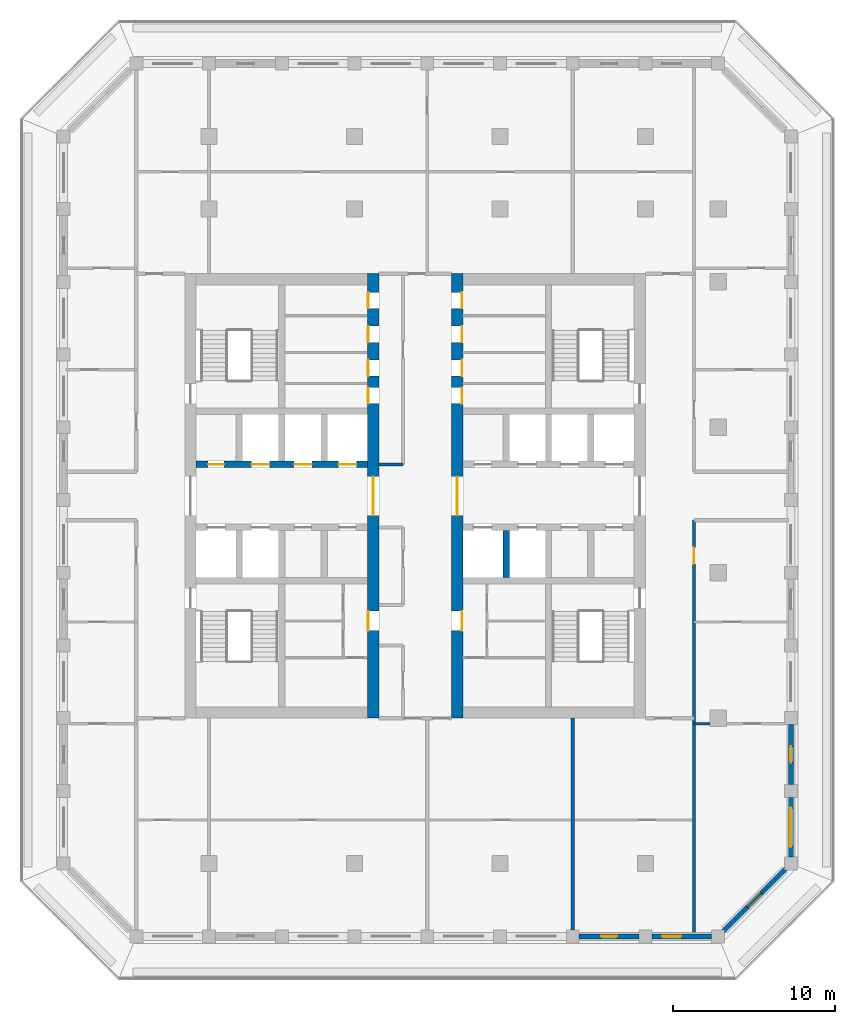
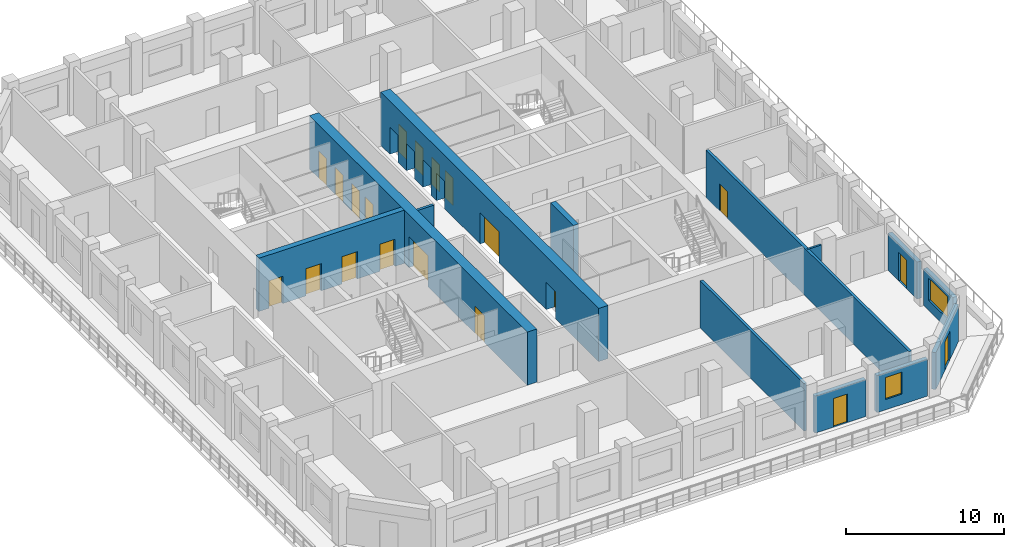
# One storey, part 4 of 17: 20 doors, 13 walls, 2 windows, 22 openings.
"""IFC4 building model written with IfcOpenShell, lengths in metres."""

import ifcopenshell
import ifcopenshell.guid

model = None  # the IFC model being written
_history = None  # IfcOwnerHistory: only IFC2X3 demands one
_inside = {}  # id of a spatial element -> (the spatial element, [elements in it])
_under = {}  # id of a project, library or spatial element -> (it, [spatial elements below it])
_declared = {}  # id of a project -> (the project, [libraries it declares])
_typed = {}  # id of a type object -> (the type object, [elements of that type])
_made_of = {}  # id of a material, layer set ... -> (it, [elements and type objects made of it])


def new_model(schema):
    """Start an empty IFC model of exactly this schema.

    Asked for "IFC4X3", IfcOpenShell would pick the latest addendum, in which some entities
    have other attributes; the version numbers below select the first issue.
    IFC2X3 requires an IfcOwnerHistory on every rooted entity: one is made here for all.
    """
    global model, _history
    if schema == "IFC4X3":
        model = ifcopenshell.file(schema_version=(4, 3, 0, 0))
    else:
        model = ifcopenshell.file(schema=schema)
    _inside.clear()
    _under.clear()
    _declared.clear()
    _typed.clear()
    _made_of.clear()
    _history = None
    if model.schema == "IFC2X3":
        org = make("IfcOrganization", Name="unknown")
        user = make(
            "IfcPersonAndOrganization",
            ThePerson=make("IfcPerson", FamilyName="unknown"),
            TheOrganization=org,
        )
        app = make(
            "IfcApplication",
            ApplicationDeveloper=org,
            Version="unknown",
            ApplicationFullName="unknown",
            ApplicationIdentifier="unknown",
        )
        _history = make(
            "IfcOwnerHistory",
            OwningUser=user,
            OwningApplication=app,
            ChangeAction="ADDED",
            CreationDate=0,
        )
    return model


def make(cls, **values):
    """One entity of the class cls with the attributes given. An attribute that is None is left unset."""
    return model.create_entity(
        cls, **{name: value for name, value in values.items() if value is not None}
    )


def rooted(cls, **values):
    """An entity with a GlobalId (a new one), such as an element, a storey or a relation."""
    return make(cls, GlobalId=ifcopenshell.guid.new(), OwnerHistory=_history, **values)


def si_unit(unit_type, name, prefix=None):
    """IfcSIUnit, for example si_unit("LENGTHUNIT", "METRE", prefix="MILLI")."""
    return make("IfcSIUnit", UnitType=unit_type, Prefix=prefix, Name=name)


def assignment(units):
    """IfcUnitAssignment: the units of a project."""
    return None if units is None else make("IfcUnitAssignment", Units=units)


def point(xyz):
    """IfcCartesianPoint."""
    return None if xyz is None else make("IfcCartesianPoint", Coordinates=xyz)


def direction(xyz):
    """IfcDirection."""
    return None if xyz is None else make("IfcDirection", DirectionRatios=xyz)


def frame(location, z_axis=None, x_axis=None):
    """IfcAxis2Placement3D, a coordinate frame: its origin and axes. An axis left out is left unset."""
    return make(
        "IfcAxis2Placement3D",
        Location=point(location),
        Axis=direction(z_axis),
        RefDirection=direction(x_axis),
    )


def frame_2d(location, x_axis=None):
    """IfcAxis2Placement2D, a coordinate frame in the plane: its origin and x axis."""
    return make(
        "IfcAxis2Placement2D", Location=point(location), RefDirection=direction(x_axis)
    )


def origin():
    """The frame at (0, 0, 0) with its axes left unset."""
    return frame((0.0, 0.0, 0.0))


def place(relative_to, where):
    """IfcLocalPlacement: puts the frame where relative to a parent placement (None: the world)."""
    return make(
        "IfcLocalPlacement", PlacementRelTo=relative_to, RelativePlacement=where
    )


def context(
    kind, dimensions, precision=None, world=None, true_north=None, identifier=None
):
    """IfcGeometricRepresentationContext, for example the 3D "Model" context."""
    return make(
        "IfcGeometricRepresentationContext",
        ContextIdentifier=identifier,
        ContextType=kind,
        CoordinateSpaceDimension=dimensions,
        Precision=precision,
        WorldCoordinateSystem=world,
        TrueNorth=true_north,
    )


def subcontext(parent, identifier, kind, view, scale=None):
    """IfcGeometricRepresentationSubContext, for example "Body" below "Model"."""
    return make(
        "IfcGeometricRepresentationSubContext",
        ContextIdentifier=identifier,
        ContextType=kind,
        ParentContext=parent,
        TargetScale=scale,
        TargetView=view,
    )


def project(units=None, contexts=None):
    """IfcProject with its units and contexts."""
    return rooted(
        "IfcProject",
        Name="project",
        RepresentationContexts=contexts,
        UnitsInContext=assignment(units),
    )


def spatial(cls, under=None, at=None, **own):
    """A site, building, storey or space (cls), placed at a placement, below another one or the project."""
    s = rooted(cls, ObjectPlacement=at, **own)
    if under is not None:
        _under.setdefault(under.id(), (under, []))[1].append(s)
    return s


def profile(cls, at=None, kind="AREA", **sizes):
    """A parametric profile (cls). Its sizes go by their IFC names, for example OverallWidth=200.0."""
    return make(cls, ProfileType=kind, Position=at, **sizes)


def rectangle(**sizes):
    """IfcRectangleProfileDef."""
    return profile("IfcRectangleProfileDef", **sizes)


def extrude(swept, where, along, depth):
    """IfcExtrudedAreaSolid: the profile swept, set in the frame where, extruded along a direction by depth."""
    return make(
        "IfcExtrudedAreaSolid",
        SweptArea=swept,
        Position=where,
        ExtrudedDirection=direction(along),
        Depth=depth,
    )


def shape(context_of_items, identifier, shape_type, items):
    """IfcShapeRepresentation: the items that make up one representation, for example the "Body"."""
    return make(
        "IfcShapeRepresentation",
        ContextOfItems=context_of_items,
        RepresentationIdentifier=identifier,
        RepresentationType=shape_type,
        Items=items,
    )


def material(Name=None, Category=None):
    """IfcMaterial."""
    return make("IfcMaterial", Name=Name, Category=Category)


def layer(
    of_material, thickness, ventilated=None, Name=None, Category=None, Priority=None
):
    """IfcMaterialLayer: one layer of a wall or slab, of a material (None: an air gap)."""
    return make(
        "IfcMaterialLayer",
        Material=of_material,
        LayerThickness=thickness,
        IsVentilated=ventilated,
        Name=Name,
        Category=Category,
        Priority=Priority,
    )


def layer_set(layers, Name=None):
    """IfcMaterialLayerSet."""
    return make("IfcMaterialLayerSet", MaterialLayers=layers, LayerSetName=Name)


def made_of(thing, what):
    """Note that an element or type object is made of a material, layer set ...; save() writes the relation."""
    if what is not None:
        _made_of.setdefault(what.id(), (what, []))[1].append(thing)
    return thing


def type_object(cls, material=None, **own):
    """A type object (cls), such as IfcWallType, which elements share."""
    return made_of(rooted(cls, **own), material)


def element(
    cls,
    number,
    at=None,
    inside=None,
    cuts=None,
    type_object=None,
    material=None,
    context=None,
    identifier="Body",
    shape_type=None,
    held_by="IfcProductDefinitionShape",
    body=None,
    shapes=None,
    **own,
):
    """One element of the class cls, such as IfcWall. Its Tag is "e" and its number.

    at: its placement. inside: the storey or other place that contains it. cuts: it is an
    opening in that element (IfcRelVoidsElement). A single representation is given by context,
    identifier, shape_type and body (its items); several are given by shapes. held_by: the class
    of the entity that holds the representations. save() writes the other relations.
    """
    e = rooted(cls, Tag="e%d" % number, ObjectPlacement=at, **own)
    if body is not None:
        shapes = [shape(context, identifier, shape_type, body)]
    if shapes is not None:
        e.Representation = make(held_by, Representations=shapes)
    if inside is not None:
        _inside.setdefault(inside.id(), (inside, []))[1].append(e)
    if cuts is not None:
        rooted(
            "IfcRelVoidsElement", RelatingBuildingElement=cuts, RelatedOpeningElement=e
        )
    if type_object is not None:
        _typed.setdefault(type_object.id(), (type_object, []))[1].append(e)
    return made_of(e, material)


def fill(opening, filler):
    """IfcRelFillsElement: the door or window that sits in an opening."""
    return rooted(
        "IfcRelFillsElement",
        RelatingOpeningElement=opening,
        RelatedBuildingElement=filler,
    )


def aggregate(whole, parts):
    """IfcRelAggregates: a whole, such as a stair, and the parts it consists of."""
    return rooted("IfcRelAggregates", RelatingObject=whole, RelatedObjects=parts)


def save(model, path):
    """Write the relations noted so far, then the file.

    IfcRelAggregates (storeys below a building ...), IfcRelContainedInSpatialStructure (elements
    in a storey), IfcRelDefinesByType, IfcRelAssociatesMaterial and IfcRelDeclares: one each for
    every whole, place, type object, material and project.
    """
    for whole, parts in _under.values():
        aggregate(whole, parts)
    for where, things in _inside.values():
        rooted(
            "IfcRelContainedInSpatialStructure",
            RelatedElements=things,
            RelatingStructure=where,
        )
    for kind, things in _typed.values():
        rooted("IfcRelDefinesByType", RelatedObjects=things, RelatingType=kind)
    for what, things in _made_of.values():
        rooted("IfcRelAssociatesMaterial", RelatedObjects=things, RelatingMaterial=what)
    for by, libraries in _declared.values():
        rooted("IfcRelDeclares", RelatingContext=by, RelatedDefinitions=libraries)
    model.write(path)


model = new_model("IFC4")

# Units and contexts
model_context = context("Model", 3, precision=1e-05, world=origin(), true_north=direction((0.0, 1.0)))
body_context = subcontext(model_context, "Body", "Model", "MODEL_VIEW")
ifc_project = project(units=[si_unit("LENGTHUNIT", "METRE"), si_unit("AREAUNIT", "SQUARE_METRE"), si_unit("VOLUMEUNIT", "CUBIC_METRE"), si_unit("PLANEANGLEUNIT", "RADIAN"), si_unit("MASSUNIT", "GRAM", prefix="KILO")], contexts=[model_context])

# Site, building, storey
site_placement = place(None, origin())
site = spatial("IfcSite", under=ifc_project, at=site_placement, CompositionType="ELEMENT")
building_placement = place(site_placement, origin())
building = spatial("IfcBuilding", under=site, at=building_placement, Name="Corbel Stack Research Tower", CompositionType="ELEMENT")
storey_placement = place(building_placement, frame((0.0, 0.0, 235.699951171875)))
storey = spatial("IfcBuildingStorey", under=building, at=storey_placement, Name="L53", CompositionType="ELEMENT", Elevation=235.699951171875)

# Wall, openings, doors
ifc_material_1 = material(Name="Concrete C60/75", Category="concrete")
ifc_layer_1 = layer(ifc_material_1, 0.39990234375)
ifc_layer_set_1 = layer_set([ifc_layer_1], Name="Concrete C60/75")
wall_type_1 = type_object("IfcWallType", Name="CW-400-60", PredefinedType="SHEAR", material=ifc_layer_set_1)
wall_1_placement = place(storey_placement, frame((-9.800048828125, 6.699951171875, 0.0), z_axis=(0.0, 0.0, 1.0), x_axis=(1.0, 0.0, 0.0)))
wall_1 = element("IfcWall", 1, at=wall_1_placement, inside=storey, type_object=wall_type_1, Name="West core wall, lobby north L53", PredefinedType="SHEAR", context=body_context, shape_type="SweptSolid", body=[
    extrude(rectangle(XDim=10.60009765625, YDim=0.39990234375, at=frame_2d((5.300048828125, 0.0))), origin(), (0.0, 0.0, 1.0), 4.10009765625),
])
opening_1_placement = place(wall_1_placement, frame((3.4375, 0.0, 0.0)))
opening_1 = element("IfcOpeningElement", 2, at=opening_1_placement, cuts=wall_1, Name="Opening LD-HR1", PredefinedType="OPENING", context=body_context, shape_type="SweptSolid", body=[
    extrude(rectangle(XDim=1.10009765625, YDim=2.10009765625, at=frame_2d((0.550048828125, 1.050048828125))), frame((0.0, 0.2099609375, 0.0), z_axis=(0.0, -1.0, 0.0), x_axis=(1.0, 0.0, 0.0)), (0.0, 0.0, 1.0), 0.419921875),
])
opening_2_placement = place(wall_1_placement, frame((6.0625, 0.0, 0.0)))
opening_2 = element("IfcOpeningElement", 3, at=opening_2_placement, cuts=wall_1, Name="Opening LD-HR2", PredefinedType="OPENING", context=body_context, shape_type="SweptSolid", body=[
    extrude(rectangle(XDim=1.10009765625, YDim=2.10009765625, at=frame_2d((0.550048828125, 1.050048828125))), frame((0.0, 0.2099609375, 0.0), z_axis=(0.0, -1.0, 0.0), x_axis=(1.0, 0.0, 0.0)), (0.0, 0.0, 1.0), 0.419921875),
])
opening_3_placement = place(wall_1_placement, frame((8.8125, 0.0, 0.0)))
opening_3 = element("IfcOpeningElement", 4, at=opening_3_placement, cuts=wall_1, Name="Opening LD-HR3", PredefinedType="OPENING", context=body_context, shape_type="SweptSolid", body=[
    extrude(rectangle(XDim=1.10009765625, YDim=2.10009765625, at=frame_2d((0.550048828125, 1.050048828125))), frame((0.0, 0.2099609375, 0.0), z_axis=(0.0, -1.0, 0.0), x_axis=(1.0, 0.0, 0.0)), (0.0, 0.0, 1.0), 0.419921875),
])
opening_4_placement = place(wall_1_placement, frame((0.737548828125, 0.0, 0.0)))
opening_4 = element("IfcOpeningElement", 5, at=opening_4_placement, cuts=wall_1, Name="Opening CR-W66-N1", PredefinedType="OPENING", context=body_context, shape_type="SweptSolid", body=[
    extrude(rectangle(XDim=1.0, YDim=2.10009765625, at=frame_2d((0.5, 1.050048828125))), frame((0.0, 0.2099609375, 0.0), z_axis=(0.0, -1.0, 0.0), x_axis=(1.0, 0.0, 0.0)), (0.0, 0.0, 1.0), 0.419921875),
])
ifc_material_2 = material(Name="Stainless steel landing door", Category="steel")
door_type_1 = type_object("IfcDoorType", Name="Lift landing door 1100 x 2100", OperationType="DOUBLE_DOOR_SLIDING", PredefinedType="DOOR", material=ifc_material_2)
door_1_placement = place(opening_1_placement, origin())
door_1 = element("IfcDoor", 6, at=door_1_placement, inside=storey, type_object=door_type_1, Name="Landing door HR1", OperationType="DOUBLE_DOOR_SLIDING", OverallHeight=2.10009765625, OverallWidth=1.10009765625, PredefinedType="DOOR", context=body_context, shape_type="SweptSolid", body=[
    extrude(rectangle(XDim=1.10009765625, YDim=2.10009765625, at=frame_2d((0.550048828125, 1.050048828125))), frame((0.0, 0.02490234375, 0.0), z_axis=(0.0, -1.0, 0.0), x_axis=(1.0, 0.0, 0.0)), (0.0, 0.0, 1.0), 0.050048828125),
])
fill(opening_1, door_1)
door_2_placement = place(opening_2_placement, origin())
door_2 = element("IfcDoor", 7, at=door_2_placement, inside=storey, type_object=door_type_1, Name="Landing door HR2", OperationType="DOUBLE_DOOR_SLIDING", OverallHeight=2.10009765625, OverallWidth=1.10009765625, PredefinedType="DOOR", context=body_context, shape_type="SweptSolid", body=[
    extrude(rectangle(XDim=1.10009765625, YDim=2.10009765625, at=frame_2d((0.550048828125, 1.050048828125))), frame((0.0, 0.02490234375, 0.0), z_axis=(0.0, -1.0, 0.0), x_axis=(1.0, 0.0, 0.0)), (0.0, 0.0, 1.0), 0.050048828125),
])
fill(opening_2, door_2)
door_3_placement = place(opening_3_placement, origin())
door_3 = element("IfcDoor", 8, at=door_3_placement, inside=storey, type_object=door_type_1, Name="Landing door HR3", OperationType="DOUBLE_DOOR_SLIDING", OverallHeight=2.10009765625, OverallWidth=1.10009765625, PredefinedType="DOOR", context=body_context, shape_type="SweptSolid", body=[
    extrude(rectangle(XDim=1.10009765625, YDim=2.10009765625, at=frame_2d((0.550048828125, 1.050048828125))), frame((0.0, 0.02490234375, 0.0), z_axis=(0.0, -1.0, 0.0), x_axis=(1.0, 0.0, 0.0)), (0.0, 0.0, 1.0), 0.050048828125),
])
fill(opening_3, door_3)
ifc_material_3 = material(Name="Painted steel door", Category="steel")
door_type_2 = type_object("IfcDoorType", Name="Service door 1000 x 2100 FD60 left hand", OperationType="SINGLE_SWING_LEFT", PredefinedType="DOOR", material=ifc_material_3)
door_4_placement = place(opening_4_placement, origin())
door_4 = element("IfcDoor", 9, at=door_4_placement, inside=storey, type_object=door_type_2, Name="Mechanical room door W core", OperationType="SINGLE_SWING_LEFT", OverallHeight=2.10009765625, OverallWidth=1.0, PredefinedType="DOOR", context=body_context, shape_type="SweptSolid", body=[
    extrude(rectangle(XDim=1.0, YDim=2.10009765625, at=frame_2d((0.5, 1.050048828125))), frame((0.0, 0.02490234375, 0.0), z_axis=(0.0, -1.0, 0.0), x_axis=(1.0, 0.0, 0.0)), (0.0, 0.0, 1.0), 0.050048828125),
])
fill(opening_4, door_4)

# Wall
wall_2_placement = place(storey_placement, frame((9.375, -0.300048828125, 0.0), z_axis=(0.0, 0.0, 1.0), x_axis=(0.0, 1.0, 0.0)))
element("IfcWall", 10, at=wall_2_placement, inside=storey, type_object=wall_type_1, Name="East core wall, south shaft 1 L53", PredefinedType="SHEAR", context=body_context, shape_type="SweptSolid", body=[
    extrude(rectangle(XDim=2.900146484375, YDim=0.39990234375, at=frame_2d((1.4501953125, 0.0))), origin(), (0.0, 0.0, 1.0), 4.10009765625),
])

# Wall, openings, doors
ifc_material_4 = material(Name="Concrete C60/75", Category="concrete")
ifc_layer_2 = layer(ifc_material_4, 0.699951171875)
ifc_layer_set_2 = layer_set([ifc_layer_2], Name="Concrete C60/75")
wall_type_2 = type_object("IfcWallType", Name="CW-700-60", PredefinedType="SHEAR", material=ifc_layer_set_2)
wall_3_placement = place(storey_placement, frame((1.14990234375, -9.0, 0.0), z_axis=(0.0, 0.0, 1.0), x_axis=(0.0, 1.0, 0.0)))
wall_3 = element("IfcWall", 11, at=wall_3_placement, inside=storey, type_object=wall_type_2, Name="West core wall, east face L53", PredefinedType="SHEAR", context=body_context, shape_type="SweptSolid", body=[
    extrude(rectangle(XDim=27.5, YDim=0.699951171875, at=frame_2d((13.75, 0.0))), origin(), (0.0, 0.0, 1.0), 4.10009765625),
])
opening_5_placement = place(wall_3_placement, frame((12.550048828125, 0.0, 0.0)))
opening_5 = element("IfcOpeningElement", 12, at=opening_5_placement, cuts=wall_3, Name="Opening CD-W-E", PredefinedType="OPENING", context=body_context, shape_type="SweptSolid", body=[
    extrude(rectangle(XDim=2.39990234375, YDim=2.39990234375, at=frame_2d((1.199951171875, 1.199951171875))), frame((0.0, 0.35986328125, 0.0), z_axis=(0.0, -1.0, 0.0), x_axis=(1.0, 0.0, 0.0)), (0.0, 0.0, 1.0), 0.719970703125),
])
opening_6_placement = place(wall_3_placement, frame((5.419921875, 0.0, 0.0)))
opening_6 = element("IfcOpeningElement", 13, at=opening_6_placement, cuts=wall_3, Name="Opening CR-W66-W1-1200", PredefinedType="OPENING", context=body_context, shape_type="SweptSolid", body=[
    extrude(rectangle(XDim=1.199951171875, YDim=2.10009765625, at=frame_2d((0.60009765625, 1.050048828125))), frame((0.0, 0.35986328125, 0.0), z_axis=(0.0, -1.0, 0.0), x_axis=(1.0, 0.0, 0.0)), (0.0, 0.0, 1.0), 0.719970703125),
])
opening_7_placement = place(wall_3_placement, frame((19.4599609375, 0.0, 0.0)))
opening_7 = element("IfcOpeningElement", 14, at=opening_7_placement, cuts=wall_3, Name="Opening CR-W66-R1-1000", PredefinedType="OPENING", context=body_context, shape_type="SweptSolid", body=[
    extrude(rectangle(XDim=1.0, YDim=2.10009765625, at=frame_2d((0.5, 1.050048828125))), frame((0.0, 0.35986328125, 0.0), z_axis=(0.0, -1.0, 0.0), x_axis=(1.0, 0.0, 0.0)), (0.0, 0.0, 1.0), 0.719970703125),
])
opening_8_placement = place(wall_3_placement, frame((21.169921875, 0.0, 0.0)))
opening_8 = element("IfcOpeningElement", 15, at=opening_8_placement, cuts=wall_3, Name="Opening CR-W66-R2-1000", PredefinedType="OPENING", context=body_context, shape_type="SweptSolid", body=[
    extrude(rectangle(XDim=1.0, YDim=2.10009765625, at=frame_2d((0.5, 1.050048828125))), frame((0.0, 0.35986328125, 0.0), z_axis=(0.0, -1.0, 0.0), x_axis=(1.0, 0.0, 0.0)), (0.0, 0.0, 1.0), 0.719970703125),
])
opening_9_placement = place(wall_3_placement, frame((23.260009765625, 0.0, 0.0)))
opening_9 = element("IfcOpeningElement", 16, at=opening_9_placement, cuts=wall_3, Name="Opening CR-W66-R3-1000", PredefinedType="OPENING", context=body_context, shape_type="SweptSolid", body=[
    extrude(rectangle(XDim=1.0, YDim=2.10009765625, at=frame_2d((0.5, 1.050048828125))), frame((0.0, 0.35986328125, 0.0), z_axis=(0.0, -1.0, 0.0), x_axis=(1.0, 0.0, 0.0)), (0.0, 0.0, 1.0), 0.719970703125),
])
opening_10_placement = place(wall_3_placement, frame((25.35009765625, 0.0, 0.0)))
opening_10 = element("IfcOpeningElement", 17, at=opening_10_placement, cuts=wall_3, Name="Opening CR-W66-R4-1000", PredefinedType="OPENING", context=body_context, shape_type="SweptSolid", body=[
    extrude(rectangle(XDim=1.0, YDim=2.10009765625, at=frame_2d((0.5, 1.050048828125))), frame((0.0, 0.35986328125, 0.0), z_axis=(0.0, -1.0, 0.0), x_axis=(1.0, 0.0, 0.0)), (0.0, 0.0, 1.0), 0.719970703125),
])
ifc_material_5 = material(Name="Painted steel fire door", Category="steel")
door_type_3 = type_object("IfcDoorType", Name="Lobby door pair 2400 x 2400 FD30S", OperationType="DOUBLE_DOOR_DOUBLE_SWING", PredefinedType="DOOR", material=ifc_material_5)
door_5_placement = place(opening_5_placement, origin())
door_5 = element("IfcDoor", 18, at=door_5_placement, inside=storey, type_object=door_type_3, Name="Lift lobby door W core E", OperationType="DOUBLE_DOOR_DOUBLE_SWING", OverallHeight=2.39990234375, OverallWidth=2.39990234375, PredefinedType="DOOR", context=body_context, shape_type="SweptSolid", body=[
    extrude(rectangle(XDim=2.39990234375, YDim=2.39990234375, at=frame_2d((1.199951171875, 1.199951171875))), frame((0.0, 0.02490234375, 0.0), z_axis=(0.0, -1.0, 0.0), x_axis=(1.0, 0.0, 0.0)), (0.0, 0.0, 1.0), 0.050048828125),
])
fill(opening_5, door_5)
ifc_material_6 = material(Name="Painted steel door", Category="steel")
door_type_4 = type_object("IfcDoorType", Name="Riser door 1000 x 2100 FD60 left hand", OperationType="SINGLE_SWING_LEFT", PredefinedType="DOOR", material=ifc_material_6)
door_6_placement = place(opening_7_placement, origin())
door_6 = element("IfcDoor", 19, at=door_6_placement, inside=storey, type_object=door_type_4, Name="Electrical riser door W core", OperationType="SINGLE_SWING_LEFT", OverallHeight=2.10009765625, OverallWidth=1.0, PredefinedType="DOOR", context=body_context, shape_type="SweptSolid", body=[
    extrude(rectangle(XDim=1.0, YDim=2.10009765625, at=frame_2d((0.5, 1.050048828125))), frame((0.0, 0.3251953125, 0.0), z_axis=(0.0, -1.0, 0.0), x_axis=(1.0, 0.0, 0.0)), (0.0, 0.0, 1.0), 0.050048828125),
])
fill(opening_7, door_6)
ifc_material_7 = material(Name="Painted steel door", Category="steel")
door_type_5 = type_object("IfcDoorType", Name="Riser door 1000 x 2100 FD60 right hand", OperationType="SINGLE_SWING_RIGHT", PredefinedType="DOOR", material=ifc_material_7)
door_7_placement = place(opening_8_placement, origin())
door_7 = element("IfcDoor", 20, at=door_7_placement, inside=storey, type_object=door_type_5, Name="Telecom room door W core", OperationType="SINGLE_SWING_RIGHT", OverallHeight=2.10009765625, OverallWidth=1.0, PredefinedType="DOOR", context=body_context, shape_type="SweptSolid", body=[
    extrude(rectangle(XDim=1.0, YDim=2.10009765625, at=frame_2d((0.5, 1.050048828125))), frame((0.0, 0.3251953125, 0.0), z_axis=(0.0, -1.0, 0.0), x_axis=(1.0, 0.0, 0.0)), (0.0, 0.0, 1.0), 0.050048828125),
])
fill(opening_8, door_7)
ifc_material_8 = material(Name="Painted steel door", Category="steel")
door_type_6 = type_object("IfcDoorType", Name="Service door 1000 x 2100 FD30 left hand", OperationType="SINGLE_SWING_LEFT", PredefinedType="DOOR", material=ifc_material_8)
door_8_placement = place(opening_9_placement, origin())
door_8 = element("IfcDoor", 21, at=door_8_placement, inside=storey, type_object=door_type_6, Name="Pantry door W core", OperationType="SINGLE_SWING_LEFT", OverallHeight=2.10009765625, OverallWidth=1.0, PredefinedType="DOOR", context=body_context, shape_type="SweptSolid", body=[
    extrude(rectangle(XDim=1.0, YDim=2.10009765625, at=frame_2d((0.5, 1.050048828125))), frame((0.0, 0.3251953125, 0.0), z_axis=(0.0, -1.0, 0.0), x_axis=(1.0, 0.0, 0.0)), (0.0, 0.0, 1.0), 0.050048828125),
])
fill(opening_9, door_8)
ifc_material_9 = material(Name="Painted steel door", Category="steel")
door_type_7 = type_object("IfcDoorType", Name="Service door 1000 x 2100 FD30 right hand", OperationType="SINGLE_SWING_RIGHT", PredefinedType="DOOR", material=ifc_material_9)
door_9_placement = place(opening_10_placement, origin())
door_9 = element("IfcDoor", 22, at=door_9_placement, inside=storey, type_object=door_type_7, Name="Cleaner's store door W core", OperationType="SINGLE_SWING_RIGHT", OverallHeight=2.10009765625, OverallWidth=1.0, PredefinedType="DOOR", context=body_context, shape_type="SweptSolid", body=[
    extrude(rectangle(XDim=1.0, YDim=2.10009765625, at=frame_2d((0.5, 1.050048828125))), frame((0.0, 0.3251953125, 0.0), z_axis=(0.0, -1.0, 0.0), x_axis=(1.0, 0.0, 0.0)), (0.0, 0.0, 1.0), 0.050048828125),
])
fill(opening_10, door_9)
ifc_material_10 = material(Name="Painted timber door", Category="wood")
door_type_8 = type_object("IfcDoorType", Name="WC door 1200 x 2100 left hand", OperationType="SINGLE_SWING_LEFT", PredefinedType="DOOR", material=ifc_material_10)
door_10_placement = place(opening_6_placement, origin())
door_10 = element("IfcDoor", 23, at=door_10_placement, inside=storey, type_object=door_type_8, Name="WC lobby door W core", OperationType="SINGLE_SWING_LEFT", OverallHeight=2.10009765625, OverallWidth=1.199951171875, PredefinedType="DOOR", context=body_context, shape_type="SweptSolid", body=[
    extrude(rectangle(XDim=1.199951171875, YDim=2.10009765625, at=frame_2d((0.60009765625, 1.050048828125))), frame((0.0, 0.3251953125, 0.0), z_axis=(0.0, -1.0, 0.0), x_axis=(1.0, 0.0, 0.0)), (0.0, 0.0, 1.0), 0.050048828125),
])
fill(opening_6, door_10)

wall_4_placement = place(storey_placement, frame((6.35009765625, -9.0, 0.0), z_axis=(0.0, 0.0, 1.0), x_axis=(0.0, 1.0, 0.0)))
wall_4 = element("IfcWall", 24, at=wall_4_placement, inside=storey, type_object=wall_type_2, Name="East core wall, west face L53", PredefinedType="SHEAR", context=body_context, shape_type="SweptSolid", body=[
    extrude(rectangle(XDim=27.5, YDim=0.699951171875, at=frame_2d((13.75, 0.0))), origin(), (0.0, 0.0, 1.0), 4.10009765625),
])
opening_11_placement = place(wall_4_placement, frame((12.550048828125, 0.0, 0.0)))
opening_11 = element("IfcOpeningElement", 25, at=opening_11_placement, cuts=wall_4, Name="Opening CD-E-W", PredefinedType="OPENING", context=body_context, shape_type="SweptSolid", body=[
    extrude(rectangle(XDim=2.39990234375, YDim=2.39990234375, at=frame_2d((1.199951171875, 1.199951171875))), frame((0.0, 0.35986328125, 0.0), z_axis=(0.0, -1.0, 0.0), x_axis=(1.0, 0.0, 0.0)), (0.0, 0.0, 1.0), 0.719970703125),
])
opening_12_placement = place(wall_4_placement, frame((5.419921875, 0.0, 0.0)))
opening_12 = element("IfcOpeningElement", 26, at=opening_12_placement, cuts=wall_4, Name="Opening CR-E66-W1-1200", PredefinedType="OPENING", context=body_context, shape_type="SweptSolid", body=[
    extrude(rectangle(XDim=1.199951171875, YDim=2.10009765625, at=frame_2d((0.60009765625, 1.050048828125))), frame((0.0, 0.35986328125, 0.0), z_axis=(0.0, -1.0, 0.0), x_axis=(1.0, 0.0, 0.0)), (0.0, 0.0, 1.0), 0.719970703125),
])
opening_13_placement = place(wall_4_placement, frame((19.4599609375, 0.0, 0.0)))
opening_13 = element("IfcOpeningElement", 27, at=opening_13_placement, cuts=wall_4, Name="Opening CR-E66-R1-1000", PredefinedType="OPENING", context=body_context, shape_type="SweptSolid", body=[
    extrude(rectangle(XDim=1.0, YDim=2.10009765625, at=frame_2d((0.5, 1.050048828125))), frame((0.0, 0.35986328125, 0.0), z_axis=(0.0, -1.0, 0.0), x_axis=(1.0, 0.0, 0.0)), (0.0, 0.0, 1.0), 0.719970703125),
])
opening_14_placement = place(wall_4_placement, frame((21.169921875, 0.0, 0.0)))
opening_14 = element("IfcOpeningElement", 28, at=opening_14_placement, cuts=wall_4, Name="Opening CR-E66-R2-1000", PredefinedType="OPENING", context=body_context, shape_type="SweptSolid", body=[
    extrude(rectangle(XDim=1.0, YDim=2.10009765625, at=frame_2d((0.5, 1.050048828125))), frame((0.0, 0.35986328125, 0.0), z_axis=(0.0, -1.0, 0.0), x_axis=(1.0, 0.0, 0.0)), (0.0, 0.0, 1.0), 0.719970703125),
])
opening_15_placement = place(wall_4_placement, frame((23.260009765625, 0.0, 0.0)))
opening_15 = element("IfcOpeningElement", 29, at=opening_15_placement, cuts=wall_4, Name="Opening CR-E66-R3-1000", PredefinedType="OPENING", context=body_context, shape_type="SweptSolid", body=[
    extrude(rectangle(XDim=1.0, YDim=2.10009765625, at=frame_2d((0.5, 1.050048828125))), frame((0.0, 0.35986328125, 0.0), z_axis=(0.0, -1.0, 0.0), x_axis=(1.0, 0.0, 0.0)), (0.0, 0.0, 1.0), 0.719970703125),
])
opening_16_placement = place(wall_4_placement, frame((25.35009765625, 0.0, 0.0)))
opening_16 = element("IfcOpeningElement", 30, at=opening_16_placement, cuts=wall_4, Name="Opening CR-E66-R4-1000", PredefinedType="OPENING", context=body_context, shape_type="SweptSolid", body=[
    extrude(rectangle(XDim=1.0, YDim=2.10009765625, at=frame_2d((0.5, 1.050048828125))), frame((0.0, 0.35986328125, 0.0), z_axis=(0.0, -1.0, 0.0), x_axis=(1.0, 0.0, 0.0)), (0.0, 0.0, 1.0), 0.719970703125),
])
door_11_placement = place(opening_11_placement, origin())
door_11 = element("IfcDoor", 31, at=door_11_placement, inside=storey, type_object=door_type_3, Name="Lift lobby door E core W", OperationType="DOUBLE_DOOR_DOUBLE_SWING", OverallHeight=2.39990234375, OverallWidth=2.39990234375, PredefinedType="DOOR", context=body_context, shape_type="SweptSolid", body=[
    extrude(rectangle(XDim=2.39990234375, YDim=2.39990234375, at=frame_2d((1.199951171875, 1.199951171875))), frame((0.0, 0.02490234375, 0.0), z_axis=(0.0, -1.0, 0.0), x_axis=(1.0, 0.0, 0.0)), (0.0, 0.0, 1.0), 0.050048828125),
])
fill(opening_11, door_11)
door_12_placement = place(opening_14_placement, origin())
door_12 = element("IfcDoor", 32, at=door_12_placement, inside=storey, type_object=door_type_4, Name="Telecom room door E core", OperationType="SINGLE_SWING_LEFT", OverallHeight=2.10009765625, OverallWidth=1.0, PredefinedType="DOOR", context=body_context, shape_type="SweptSolid", body=[
    extrude(rectangle(XDim=1.0, YDim=2.10009765625, at=frame_2d((0.5, 1.050048828125))), frame((0.0, -0.27490234375, 0.0), z_axis=(0.0, -1.0, 0.0), x_axis=(1.0, 0.0, 0.0)), (0.0, 0.0, 1.0), 0.050048828125),
])
fill(opening_14, door_12)
door_13_placement = place(opening_13_placement, origin())
door_13 = element("IfcDoor", 33, at=door_13_placement, inside=storey, type_object=door_type_5, Name="Electrical riser door E core", OperationType="SINGLE_SWING_RIGHT", OverallHeight=2.10009765625, OverallWidth=1.0, PredefinedType="DOOR", context=body_context, shape_type="SweptSolid", body=[
    extrude(rectangle(XDim=1.0, YDim=2.10009765625, at=frame_2d((0.5, 1.050048828125))), frame((0.0, -0.27490234375, 0.0), z_axis=(0.0, -1.0, 0.0), x_axis=(1.0, 0.0, 0.0)), (0.0, 0.0, 1.0), 0.050048828125),
])
fill(opening_13, door_13)
door_14_placement = place(opening_16_placement, origin())
door_14 = element("IfcDoor", 34, at=door_14_placement, inside=storey, type_object=door_type_6, Name="Cleaner's store door E core", OperationType="SINGLE_SWING_LEFT", OverallHeight=2.10009765625, OverallWidth=1.0, PredefinedType="DOOR", context=body_context, shape_type="SweptSolid", body=[
    extrude(rectangle(XDim=1.0, YDim=2.10009765625, at=frame_2d((0.5, 1.050048828125))), frame((0.0, -0.27490234375, 0.0), z_axis=(0.0, -1.0, 0.0), x_axis=(1.0, 0.0, 0.0)), (0.0, 0.0, 1.0), 0.050048828125),
])
fill(opening_16, door_14)
door_15_placement = place(opening_15_placement, origin())
door_15 = element("IfcDoor", 35, at=door_15_placement, inside=storey, type_object=door_type_7, Name="Pantry door E core", OperationType="SINGLE_SWING_RIGHT", OverallHeight=2.10009765625, OverallWidth=1.0, PredefinedType="DOOR", context=body_context, shape_type="SweptSolid", body=[
    extrude(rectangle(XDim=1.0, YDim=2.10009765625, at=frame_2d((0.5, 1.050048828125))), frame((0.0, -0.27490234375, 0.0), z_axis=(0.0, -1.0, 0.0), x_axis=(1.0, 0.0, 0.0)), (0.0, 0.0, 1.0), 0.050048828125),
])
fill(opening_15, door_15)
ifc_material_11 = material(Name="Painted timber door", Category="wood")
door_type_9 = type_object("IfcDoorType", Name="WC door 1200 x 2100 right hand", OperationType="SINGLE_SWING_RIGHT", PredefinedType="DOOR", material=ifc_material_11)
door_16_placement = place(opening_12_placement, origin())
door_16 = element("IfcDoor", 36, at=door_16_placement, inside=storey, type_object=door_type_9, Name="WC lobby door E core", OperationType="SINGLE_SWING_RIGHT", OverallHeight=2.10009765625, OverallWidth=1.199951171875, PredefinedType="DOOR", context=body_context, shape_type="SweptSolid", body=[
    extrude(rectangle(XDim=1.199951171875, YDim=2.10009765625, at=frame_2d((0.60009765625, 1.050048828125))), frame((0.0, -0.27490234375, 0.0), z_axis=(0.0, -1.0, 0.0), x_axis=(1.0, 0.0, 0.0)), (0.0, 0.0, 1.0), 0.050048828125),
])
fill(opening_12, door_16)

# Wall
ifc_material_12 = material(Name="Fire-rated gypsum board partition on steel studs", Category="steel")
ifc_layer_3 = layer(ifc_material_12, 0.199951171875)
ifc_layer_set_3 = layer_set([ifc_layer_3], Name="Fire-rated gypsum board partition on steel studs")
wall_type_3 = type_object("IfcWallType", Name="Fire-rated partition 200 EI 60", PredefinedType="PARTITIONING", material=ifc_layer_set_3)
wall_5_placement = place(storey_placement, frame((13.5, -22.10009765625, 0.0), z_axis=(0.0, 0.0, 1.0), x_axis=(0.0, 1.0, 0.0)))
element("IfcWall", 37, at=wall_5_placement, inside=storey, type_object=wall_type_3, Name="Partition L53-013", PredefinedType="PARTITIONING", context=body_context, shape_type="SweptSolid", body=[
    extrude(rectangle(XDim=13.10009765625, YDim=0.199951171875, at=frame_2d((6.550048828125, 0.0))), origin(), (0.0, 0.0, 1.0), 3.650146484375),
])

# Wall, opening, door
wall_6_placement = place(storey_placement, frame((21.0, 3.25, 0.0), z_axis=(0.0, 0.0, 1.0), x_axis=(0.0, -1.0, 0.0)))
wall_6 = element("IfcWall", 38, at=wall_6_placement, inside=storey, type_object=wall_type_3, Name="Partition L53-015", PredefinedType="PARTITIONING", context=body_context, shape_type="SweptSolid", body=[
    extrude(rectangle(XDim=25.60009765625, YDim=0.199951171875, at=frame_2d((12.800048828125, 0.0))), origin(), (0.0, 0.0, 1.0), 3.650146484375),
])
opening_17_placement = place(wall_6_placement, frame((1.699951171875, 0.0, 0.0)))
opening_17 = element("IfcOpeningElement", 39, at=opening_17_placement, cuts=wall_6, Name="Opening B7V0-026", PredefinedType="OPENING", context=body_context, shape_type="SweptSolid", body=[
    extrude(rectangle(XDim=1.0, YDim=2.10009765625, at=frame_2d((0.5, 1.050048828125))), frame((0.0, 0.10986328125, 0.0), z_axis=(0.0, -1.0, 0.0), x_axis=(1.0, 0.0, 0.0)), (0.0, 0.0, 1.0), 0.219970703125),
])
ifc_material_13 = material(Name="Painted steel fire door", Category="steel")
door_type_10 = type_object("IfcDoorType", Name="Fire door FD30S 1000 x 2100", OperationType="NOTDEFINED", PredefinedType="DOOR", material=ifc_material_13)
door_17_placement = place(opening_17_placement, origin())
door_17 = element("IfcDoor", 40, at=door_17_placement, inside=storey, type_object=door_type_10, Name="Door B7V0-026", OperationType="SINGLE_SWING_LEFT", OverallHeight=2.10009765625, OverallWidth=1.0, PredefinedType="DOOR", context=body_context, shape_type="SweptSolid", body=[
    extrude(rectangle(XDim=1.0, YDim=2.10009765625, at=frame_2d((0.5, 1.050048828125))), frame((0.0, 0.02490234375, 0.0), z_axis=(0.0, -1.0, 0.0), x_axis=(1.0, 0.0, 0.0)), (0.0, 0.0, 1.0), 0.050048828125),
])
fill(opening_17, door_17)

# Walls
wall_7_placement = place(storey_placement, frame((1.5, 6.699951171875, 0.0), z_axis=(0.0, 0.0, 1.0), x_axis=(1.0, 0.0, 0.0)))
element("IfcWall", 41, at=wall_7_placement, inside=storey, type_object=wall_type_3, Name="Partition L53-033", PredefinedType="PARTITIONING", context=body_context, shape_type="SweptSolid", body=[
    extrude(rectangle(XDim=1.5, YDim=0.199951171875, at=frame_2d((0.75, 0.0))), origin(), (0.0, 0.0, 1.0), 3.650146484375),
])
ifc_material_14 = material(Name="Gypsum board partition on steel studs", Category="steel")
ifc_layer_4 = layer(ifc_material_14, 0.14990234375)
ifc_layer_set_4 = layer_set([ifc_layer_4], Name="Gypsum board partition on steel studs")
wall_type_4 = type_object("IfcWallType", Name="Partition 150", PredefinedType="PARTITIONING", material=ifc_layer_set_4)
wall_8_placement = place(storey_placement, frame((21.0, -9.35009765625, 0.0), z_axis=(0.0, 0.0, 1.0), x_axis=(1.0, 0.0, 0.0)))
element("IfcWall", 42, at=wall_8_placement, inside=storey, type_object=wall_type_4, Name="Partition L53-019", PredefinedType="PARTITIONING", context=body_context, shape_type="SweptSolid", body=[
    extrude(rectangle(XDim=1.0, YDim=0.14990234375, at=frame_2d((0.5, 0.0))), origin(), (0.0, 0.0, 1.0), 3.650146484375),
])

# Wall, opening, door
ifc_material_15 = material(Name="Concrete C45/55", Category="concrete")
ifc_layer_5 = layer(ifc_material_15, 0.300048828125)
ifc_layer_set_5 = layer_set([ifc_layer_5], Name="Concrete C45/55")
wall_type_5 = type_object("IfcWallType", Name="Terracotta-faced concrete wall 300", PredefinedType="SOLIDWALL", material=ifc_layer_set_5)
wall_9_placement = place(storey_placement, frame((17.60009765625, -22.5, 0.0), z_axis=(0.0, 0.0, 1.0), x_axis=(-1.0, 0.0, 0.0)))
wall_9 = element("IfcWall", 43, at=wall_9_placement, inside=storey, type_object=wall_type_5, Name="Facade wall L53 S07", PredefinedType="SOLIDWALL", context=body_context, shape_type="SweptSolid", body=[
    extrude(rectangle(XDim=3.7001953125, YDim=0.300048828125, at=frame_2d((1.85009765625, 0.0))), origin(), (0.0, 0.0, 1.0), 2.85009765625),
])
opening_18_placement = place(wall_9_placement, frame((1.35009765625, 0.0, 0.0)))
opening_18 = element("IfcOpeningElement", 44, at=opening_18_placement, cuts=wall_9, Name="Opening L53-B02", PredefinedType="OPENING", context=body_context, shape_type="SweptSolid", body=[
    extrude(rectangle(XDim=1.0, YDim=2.199951171875, at=frame_2d((0.5, 1.10009765625))), frame((0.0, 0.159912109375, 0.0), z_axis=(0.0, -1.0, 0.0), x_axis=(1.0, 0.0, 0.0)), (0.0, 0.0, 1.0), 0.320068359375),
])
ifc_material_16 = material(Name="Aluminium frame, clear double glazing", Category="aluminium")
door_type_11 = type_object("IfcDoorType", Name="Balcony door BD1 1000 x 2200", OperationType="NOTDEFINED", PredefinedType="DOOR", material=ifc_material_16)
door_18_placement = place(opening_18_placement, origin())
door_18 = element("IfcDoor", 45, at=door_18_placement, inside=storey, type_object=door_type_11, Name="Balcony door L53-B02", OperationType="SINGLE_SWING_RIGHT", OverallHeight=2.199951171875, OverallWidth=1.0, PredefinedType="DOOR", context=body_context, shape_type="SweptSolid", body=[
    extrude(rectangle(XDim=1.0, YDim=2.199951171875, at=frame_2d((0.5, 1.10009765625))), frame((0.0, 0.02490234375, 0.0), z_axis=(0.0, -1.0, 0.0), x_axis=(1.0, 0.0, 0.0)), (0.0, 0.0, 1.0), 0.050048828125),
])
fill(opening_18, door_18)

# Wall, opening, window
wall_10_placement = place(storey_placement, frame((22.10009765625, -22.5, 0.0), z_axis=(0.0, 0.0, 1.0), x_axis=(-1.0, 0.0, 0.0)))
wall_10 = element("IfcWall", 46, at=wall_10_placement, inside=storey, type_object=wall_type_5, Name="Facade wall L53 S08", PredefinedType="SOLIDWALL", context=body_context, shape_type="SweptSolid", body=[
    extrude(rectangle(XDim=3.7001953125, YDim=0.300048828125, at=frame_2d((1.85009765625, 0.0))), origin(), (0.0, 0.0, 1.0), 2.85009765625),
])
opening_19_placement = place(wall_10_placement, frame((1.875, 0.0, 0.800048828125)))
opening_19 = element("IfcOpeningElement", 47, at=opening_19_placement, cuts=wall_10, Name="Opening W2", PredefinedType="OPENING", context=body_context, shape_type="SweptSolid", body=[
    extrude(rectangle(XDim=1.199951171875, YDim=1.699951171875, at=frame_2d((0.60009765625, 0.85009765625))), frame((0.0, 0.159912109375, 0.0), z_axis=(0.0, -1.0, 0.0), x_axis=(1.0, 0.0, 0.0)), (0.0, 0.0, 1.0), 0.320068359375),
])
ifc_material_17 = material(Name="Aluminium frame, clear double glazing", Category="aluminium")
window_type_1 = type_object("IfcWindowType", Name="Window W2 1200 x 1700", PartitioningType="SINGLE_PANEL", PredefinedType="WINDOW", material=ifc_material_17)
window_1_placement = place(opening_19_placement, origin())
window_1 = element("IfcWindow", 48, at=window_1_placement, inside=storey, type_object=window_type_1, Name="Window W2 L53 S08", OverallHeight=1.699951171875, OverallWidth=1.199951171875, PartitioningType="SINGLE_PANEL", PredefinedType="WINDOW", context=body_context, shape_type="SweptSolid", body=[
    extrude(rectangle(XDim=1.199951171875, YDim=1.699951171875, at=frame_2d((0.60009765625, 0.85009765625))), frame((0.0, 0.030029296875, 0.0), z_axis=(0.0, -1.0, 0.0), x_axis=(1.0, 0.0, 0.0)), (0.0, 0.0, 1.0), 0.06005859375),
])
fill(opening_19, window_1)

# Wall, opening, door
wall_11_placement = place(storey_placement, frame((26.7060546875, -18.2939453125, 0.0), z_axis=(0.0, 0.0, 1.0), x_axis=(-0.707106781187, -0.707106781187, 0.0)))
wall_11 = element("IfcWall", 49, at=wall_11_placement, inside=storey, type_object=wall_type_5, Name="Facade wall L53 SE01", PredefinedType="SOLIDWALL", context=body_context, shape_type="SweptSolid", body=[
    extrude(rectangle(XDim=5.532470703125, YDim=0.300048828125, at=frame_2d((2.76611328125, 0.0))), origin(), (0.0, 0.0, 1.0), 2.85009765625),
])
opening_20_placement = place(wall_11_placement, frame((2.166259765625, 0.0, 0.0)))
opening_20 = element("IfcOpeningElement", 50, at=opening_20_placement, cuts=wall_11, Name="Opening L53-B03", PredefinedType="OPENING", context=body_context, shape_type="SweptSolid", body=[
    extrude(rectangle(XDim=1.199951171875, YDim=2.199951171875, at=frame_2d((0.60009765625, 1.10009765625))), frame((0.0, 0.159912109375, 0.0), z_axis=(0.0, -1.0, 0.0), x_axis=(1.0, 0.0, 0.0)), (0.0, 0.0, 1.0), 0.320068359375),
])
ifc_material_18 = material(Name="Aluminium frame, clear double glazing", Category="aluminium")
door_type_12 = type_object("IfcDoorType", Name="Balcony door BD2 1200 x 2200", OperationType="NOTDEFINED", PredefinedType="DOOR", material=ifc_material_18)
door_19_placement = place(opening_20_placement, origin())
door_19 = element("IfcDoor", 51, at=door_19_placement, inside=storey, type_object=door_type_12, Name="Balcony door L53-B03", OperationType="SINGLE_SWING_RIGHT", OverallHeight=2.199951171875, OverallWidth=1.199951171875, PredefinedType="DOOR", context=body_context, shape_type="SweptSolid", body=[
    extrude(rectangle(XDim=1.199951171875, YDim=2.199951171875, at=frame_2d((0.60009765625, 1.10009765625))), frame((0.0, 0.02490234375, 0.0), z_axis=(0.0, -1.0, 0.0), x_axis=(1.0, 0.0, 0.0)), (0.0, 0.0, 1.0), 0.050048828125),
])
fill(opening_20, door_19)

# Wall, opening, window
wall_12_placement = place(storey_placement, frame((27.0, -13.89990234375, 0.0), z_axis=(0.0, 0.0, 1.0), x_axis=(0.0, -1.0, 0.0)))
wall_12 = element("IfcWall", 52, at=wall_12_placement, inside=storey, type_object=wall_type_5, Name="Facade wall L53 E01", PredefinedType="SOLIDWALL", context=body_context, shape_type="SweptSolid", body=[
    extrude(rectangle(XDim=3.7001953125, YDim=0.300048828125, at=frame_2d((1.85009765625, 0.0))), origin(), (0.0, 0.0, 1.0), 2.85009765625),
])
opening_21_placement = place(wall_12_placement, frame((0.64990234375, 0.0, 0.800048828125)))
opening_21 = element("IfcOpeningElement", 53, at=opening_21_placement, cuts=wall_12, Name="Opening W1", PredefinedType="OPENING", context=body_context, shape_type="SweptSolid", body=[
    extrude(rectangle(XDim=2.39990234375, YDim=1.699951171875, at=frame_2d((1.199951171875, 0.85009765625))), frame((0.0, 0.159912109375, 0.0), z_axis=(0.0, -1.0, 0.0), x_axis=(1.0, 0.0, 0.0)), (0.0, 0.0, 1.0), 0.320068359375),
])
ifc_material_19 = material(Name="Aluminium frame, clear double glazing", Category="aluminium")
window_type_2 = type_object("IfcWindowType", Name="Window W1 2400 x 1700", PartitioningType="SINGLE_PANEL", PredefinedType="WINDOW", material=ifc_material_19)
window_2_placement = place(opening_21_placement, origin())
window_2 = element("IfcWindow", 54, at=window_2_placement, inside=storey, type_object=window_type_2, Name="Window W1 L53 E01", OverallHeight=1.699951171875, OverallWidth=2.39990234375, PartitioningType="SINGLE_PANEL", PredefinedType="WINDOW", context=body_context, shape_type="SweptSolid", body=[
    extrude(rectangle(XDim=2.39990234375, YDim=1.699951171875, at=frame_2d((1.199951171875, 0.85009765625))), frame((0.0, 0.030029296875, 0.0), z_axis=(0.0, -1.0, 0.0), x_axis=(1.0, 0.0, 0.0)), (0.0, 0.0, 1.0), 0.06005859375),
])
fill(opening_21, window_2)

# Wall, opening, door
wall_13_placement = place(storey_placement, frame((27.0, -9.39990234375, 0.0), z_axis=(0.0, 0.0, 1.0), x_axis=(0.0, -1.0, 0.0)))
wall_13 = element("IfcWall", 55, at=wall_13_placement, inside=storey, type_object=wall_type_5, Name="Facade wall L53 E02", PredefinedType="SOLIDWALL", context=body_context, shape_type="SweptSolid", body=[
    extrude(rectangle(XDim=3.7001953125, YDim=0.300048828125, at=frame_2d((1.85009765625, 0.0))), origin(), (0.0, 0.0, 1.0), 2.85009765625),
])
opening_22_placement = place(wall_13_placement, frame((1.35009765625, 0.0, 0.0)))
opening_22 = element("IfcOpeningElement", 56, at=opening_22_placement, cuts=wall_13, Name="Opening L53-B04", PredefinedType="OPENING", context=body_context, shape_type="SweptSolid", body=[
    extrude(rectangle(XDim=1.0, YDim=2.199951171875, at=frame_2d((0.5, 1.10009765625))), frame((0.0, 0.159912109375, 0.0), z_axis=(0.0, -1.0, 0.0), x_axis=(1.0, 0.0, 0.0)), (0.0, 0.0, 1.0), 0.320068359375),
])
door_20_placement = place(opening_22_placement, origin())
door_20 = element("IfcDoor", 57, at=door_20_placement, inside=storey, type_object=door_type_11, Name="Balcony door L53-B04", OperationType="SINGLE_SWING_LEFT", OverallHeight=2.199951171875, OverallWidth=1.0, PredefinedType="DOOR", context=body_context, shape_type="SweptSolid", body=[
    extrude(rectangle(XDim=1.0, YDim=2.199951171875, at=frame_2d((0.5, 1.10009765625))), frame((0.0, 0.02490234375, 0.0), z_axis=(0.0, -1.0, 0.0), x_axis=(1.0, 0.0, 0.0)), (0.0, 0.0, 1.0), 0.050048828125),
])
fill(opening_22, door_20)

save(model, "model.ifc")
